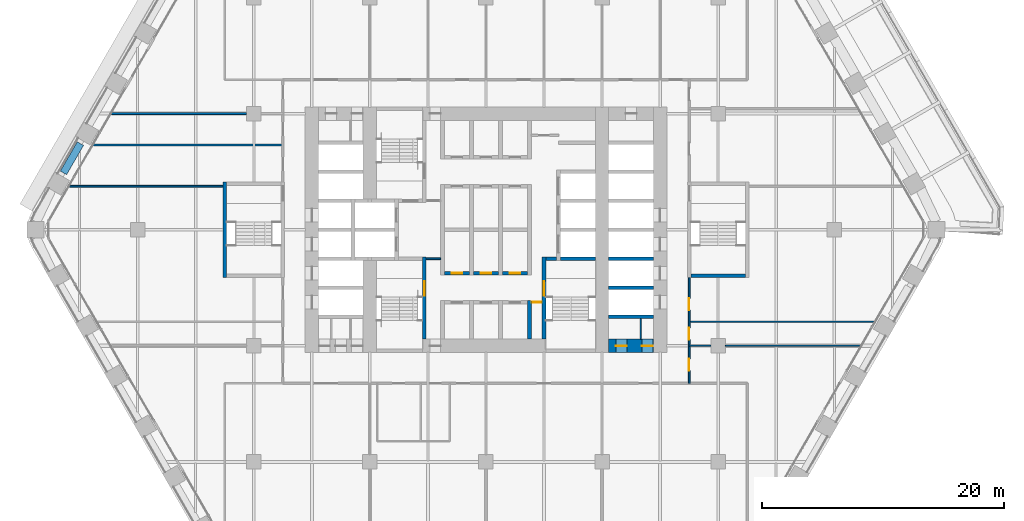
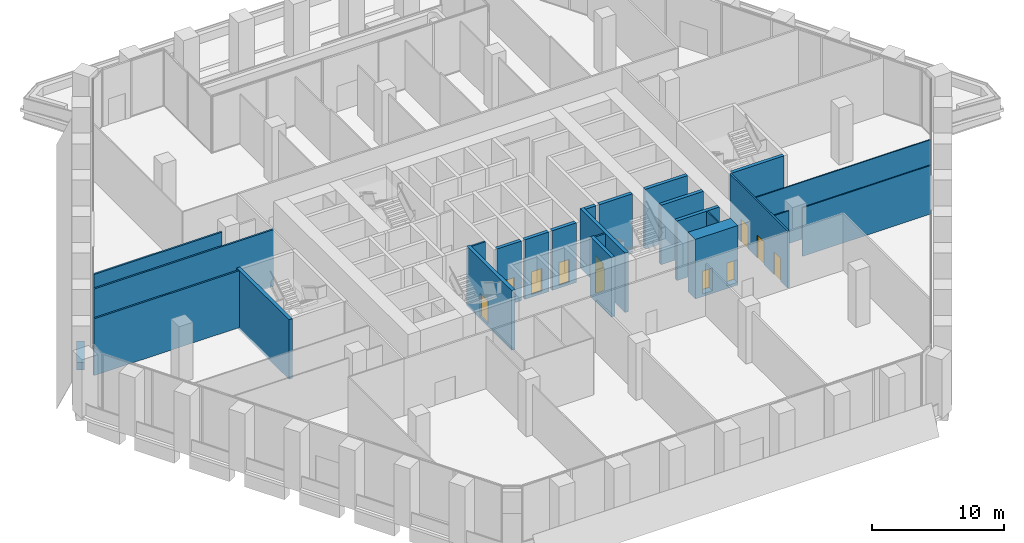
# One storey, part 20 of 30: 25 walls, 11 doors, 11 openings.
"""IFC4 building model written with IfcOpenShell, lengths in metres."""

from ifc_helpers import new_model, si_unit, direction, frame, frame_2d, origin, place, context, subcontext, project, spatial, rectangle, extrude, material, layer, layer_set, type_object, element, fill, save


model = new_model("IFC4")

# Units and contexts
model_context = context("Model", 3, precision=1e-05, world=origin(), true_north=direction((0.0, 1.0)))
body_context = subcontext(model_context, "Body", "Model", "MODEL_VIEW")
ifc_project = project(units=[si_unit("LENGTHUNIT", "METRE"), si_unit("AREAUNIT", "SQUARE_METRE"), si_unit("VOLUMEUNIT", "CUBIC_METRE"), si_unit("PLANEANGLEUNIT", "RADIAN"), si_unit("MASSUNIT", "GRAM", prefix="KILO")], contexts=[model_context])

# Site, building, storey
site_placement = place(None, origin())
site = spatial("IfcSite", under=ifc_project, at=site_placement, CompositionType="ELEMENT")
building_placement = place(site_placement, origin())
building = spatial("IfcBuilding", under=site, at=building_placement, Name="Kolab Exchange Tower", CompositionType="ELEMENT")
storey_placement = place(building_placement, frame((0.0, 0.0, 38.89990234375)))
storey = spatial("IfcBuildingStorey", under=building, at=storey_placement, Name="L07", CompositionType="ELEMENT", Elevation=38.89990234375)

# Wall, openings, doors
ifc_material_1 = material(Name="Concrete C80/95", Category="concrete")
ifc_layer_1 = layer(ifc_material_1, 1.10009765625)
ifc_layer_set_1 = layer_set([ifc_layer_1], Name="Concrete C80/95")
wall_type_1 = type_object("IfcWallType", Name="CORE WALL 1100 C80/95", PredefinedType="SHEAR", material=ifc_layer_set_1)
wall_1_placement = place(storey_placement, frame((10.14990234375, -9.60009765625, -0.25), z_axis=(0.0, 0.0, 1.0), x_axis=(1.0, 0.0, 0.0)))
wall_1 = element("IfcWall", 1, at=wall_1_placement, inside=storey, type_object=wall_type_1, Name="wall/L07/core/004", PredefinedType="SHEAR", context=body_context, shape_type="SweptSolid", body=[
    extrude(rectangle(XDim=3.7001953125, YDim=1.10009765625, at=frame_2d((1.85009765625, 0.0))), origin(), (0.0, 0.0, 1.0), 5.5),
])
opening_1_placement = place(wall_1_placement, frame((0.60009765625, 0.0, 0.25)))
opening_1 = element("IfcOpeningElement", 2, at=opening_1_placement, cuts=wall_1, Name="Opening D6-110", PredefinedType="OPENING", context=body_context, shape_type="SweptSolid", body=[
    extrude(rectangle(XDim=0.89990234375, YDim=2.10009765625, at=frame_2d((0.449951171875, 1.050048828125))), frame((0.0, 0.56005859375, 0.0), z_axis=(0.0, -1.0, 0.0), x_axis=(1.0, 0.0, 0.0)), (0.0, 0.0, 1.0), 1.1201171875),
])
opening_2_placement = place(wall_1_placement, frame((2.75, 0.0, 0.25)))
opening_2 = element("IfcOpeningElement", 3, at=opening_2_placement, cuts=wall_1, Name="Opening D6-111", PredefinedType="OPENING", context=body_context, shape_type="SweptSolid", body=[
    extrude(rectangle(XDim=0.89990234375, YDim=2.10009765625, at=frame_2d((0.449951171875, 1.050048828125))), frame((0.0, 0.56005859375, 0.0), z_axis=(0.0, -1.0, 0.0), x_axis=(1.0, 0.0, 0.0)), (0.0, 0.0, 1.0), 1.1201171875),
])
ifc_material_2 = material(Name="Steel S235", Category="steel")
door_type_1 = type_object("IfcDoorType", Name="CORE DOOR 900 EI 120", OperationType="SINGLE_SWING_LEFT", PredefinedType="DOOR", material=ifc_material_2)
door_1_placement = place(opening_1_placement, origin())
door_1 = element("IfcDoor", 4, at=door_1_placement, inside=storey, type_object=door_type_1, Name="Service room door", OperationType="SINGLE_SWING_RIGHT", OverallHeight=2.10009765625, OverallWidth=0.89990234375, PredefinedType="DOOR", context=body_context, shape_type="SweptSolid", body=[
    extrude(rectangle(XDim=0.89990234375, YDim=2.10009765625, at=frame_2d((0.449951171875, 1.050048828125))), frame((0.0, 0.02490234375, 0.0), z_axis=(0.0, -1.0, 0.0), x_axis=(1.0, 0.0, 0.0)), (0.0, 0.0, 1.0), 0.050048828125),
])
fill(opening_1, door_1)
door_2_placement = place(opening_2_placement, origin())
door_2 = element("IfcDoor", 5, at=door_2_placement, inside=storey, type_object=door_type_1, Name="Service room door", OperationType="SINGLE_SWING_LEFT", OverallHeight=2.10009765625, OverallWidth=0.89990234375, PredefinedType="DOOR", context=body_context, shape_type="SweptSolid", body=[
    extrude(rectangle(XDim=0.89990234375, YDim=2.10009765625, at=frame_2d((0.449951171875, 1.050048828125))), frame((0.0, 0.02490234375, 0.0), z_axis=(0.0, -1.0, 0.0), x_axis=(1.0, 0.0, 0.0)), (0.0, 0.0, 1.0), 0.050048828125),
])
fill(opening_2, door_2)

# Walls
ifc_material_3 = material(Name="Concrete C50/60", Category="concrete")
ifc_layer_2 = layer(ifc_material_3, 0.300048828125)
ifc_layer_set_2 = layer_set([ifc_layer_2], Name="Concrete C50/60")
wall_type_2 = type_object("IfcWallType", Name="LIFT SHAFT WALL 300 C50/60", PredefinedType="STANDARD", material=ifc_layer_set_2)
for number, where, z_axis, x_axis, name in (
    (6, (10.14990234375, -7.199951171875, -0.25), (0.0, 0.0, 1.0), (1.0, 0.0, 0.0), "wall/L07/core/006"),
    (7, (10.14990234375, -4.800048828125, -0.25), (0.0, 0.0, 1.0), (1.0, 0.0, 0.0), "wall/L07/core/011"),
):
    element("IfcWall", number, at=place(storey_placement, frame(where, z_axis=z_axis, x_axis=x_axis)), inside=storey, type_object=wall_type_2, Name=name, PredefinedType="STANDARD", context=body_context, shape_type="SweptSolid", body=[
        extrude(rectangle(XDim=3.7001953125, YDim=0.300048828125, at=frame_2d((1.85009765625, 0.0))), origin(), (0.0, 0.0, 1.0), 5.5),
    ])

# Wall, opening, door
wall_2_placement = place(storey_placement, frame((-3.449951171875, -3.60009765625, -0.25), z_axis=(0.0, 0.0, 1.0), x_axis=(1.0, 0.0, 0.0)))
wall_2 = element("IfcWall", 8, at=wall_2_placement, inside=storey, type_object=wall_type_2, Name="wall/L07/core/014", PredefinedType="STANDARD", context=body_context, shape_type="SweptSolid", body=[
    extrude(rectangle(XDim=2.099853515625, YDim=0.300048828125, at=frame_2d((1.0498046875, 0.0))), origin(), (0.0, 0.0, 1.0), 5.5),
])
opening_3_placement = place(wall_2_placement, frame((0.60009765625, 0.0, 0.25)))
opening_3 = element("IfcOpeningElement", 9, at=opening_3_placement, cuts=wall_2, Name="Opening D6-092", PredefinedType="OPENING", context=body_context, shape_type="SweptSolid", body=[
    extrude(rectangle(XDim=0.89990234375, YDim=2.10009765625, at=frame_2d((0.449951171875, 1.050048828125))), frame((0.0, 0.16015625, 0.0), z_axis=(0.0, -1.0, 0.0), x_axis=(1.0, 0.0, 0.0)), (0.0, 0.0, 1.0), 0.320068359375),
])
door_3_placement = place(opening_3_placement, origin())
door_3 = element("IfcDoor", 10, at=door_3_placement, inside=storey, type_object=door_type_1, Name="Service room door", OperationType="SINGLE_SWING_LEFT", OverallHeight=2.10009765625, OverallWidth=0.89990234375, PredefinedType="DOOR", context=body_context, shape_type="SweptSolid", body=[
    extrude(rectangle(XDim=0.89990234375, YDim=2.10009765625, at=frame_2d((0.449951171875, 1.050048828125))), frame((0.0, 0.02490234375, 0.0), z_axis=(0.0, -1.0, 0.0), x_axis=(1.0, 0.0, 0.0)), (0.0, 0.0, 1.0), 0.050048828125),
])
fill(opening_3, door_3)

wall_3_placement = place(storey_placement, frame((-1.050048828125, -3.60009765625, -0.25), z_axis=(0.0, 0.0, 1.0), x_axis=(1.0, 0.0, 0.0)))
wall_3 = element("IfcWall", 11, at=wall_3_placement, inside=storey, type_object=wall_type_2, Name="wall/L07/core/015", PredefinedType="STANDARD", context=body_context, shape_type="SweptSolid", body=[
    extrude(rectangle(XDim=2.10009765625, YDim=0.300048828125, at=frame_2d((1.050048828125, 0.0))), origin(), (0.0, 0.0, 1.0), 5.5),
])
opening_4_placement = place(wall_3_placement, frame((0.60009765625, 0.0, 0.25)))
opening_4 = element("IfcOpeningElement", 12, at=opening_4_placement, cuts=wall_3, Name="Opening D6-106", PredefinedType="OPENING", context=body_context, shape_type="SweptSolid", body=[
    extrude(rectangle(XDim=0.89990234375, YDim=2.10009765625, at=frame_2d((0.449951171875, 1.050048828125))), frame((0.0, 0.16015625, 0.0), z_axis=(0.0, -1.0, 0.0), x_axis=(1.0, 0.0, 0.0)), (0.0, 0.0, 1.0), 0.320068359375),
])
door_4_placement = place(opening_4_placement, origin())
door_4 = element("IfcDoor", 13, at=door_4_placement, inside=storey, type_object=door_type_1, Name="Service room door", OperationType="SINGLE_SWING_RIGHT", OverallHeight=2.10009765625, OverallWidth=0.89990234375, PredefinedType="DOOR", context=body_context, shape_type="SweptSolid", body=[
    extrude(rectangle(XDim=0.89990234375, YDim=2.10009765625, at=frame_2d((0.449951171875, 1.050048828125))), frame((0.0, 0.02490234375, 0.0), z_axis=(0.0, -1.0, 0.0), x_axis=(1.0, 0.0, 0.0)), (0.0, 0.0, 1.0), 0.050048828125),
])
fill(opening_4, door_4)

wall_4_placement = place(storey_placement, frame((1.35009765625, -3.60009765625, -0.25), z_axis=(0.0, 0.0, 1.0), x_axis=(1.0, 0.0, 0.0)))
wall_4 = element("IfcWall", 14, at=wall_4_placement, inside=storey, type_object=wall_type_2, Name="wall/L07/core/016", PredefinedType="STANDARD", context=body_context, shape_type="SweptSolid", body=[
    extrude(rectangle(XDim=2.099853515625, YDim=0.300048828125, at=frame_2d((1.0498046875, 0.0))), origin(), (0.0, 0.0, 1.0), 5.5),
])
opening_5_placement = place(wall_4_placement, frame((0.60009765625, 0.0, 0.25)))
opening_5 = element("IfcOpeningElement", 15, at=opening_5_placement, cuts=wall_4, Name="Opening D6-090", PredefinedType="OPENING", context=body_context, shape_type="SweptSolid", body=[
    extrude(rectangle(XDim=0.89990234375, YDim=2.10009765625, at=frame_2d((0.449951171875, 1.050048828125))), frame((0.0, 0.16015625, 0.0), z_axis=(0.0, -1.0, 0.0), x_axis=(1.0, 0.0, 0.0)), (0.0, 0.0, 1.0), 0.320068359375),
])
door_5_placement = place(opening_5_placement, origin())
door_5 = element("IfcDoor", 16, at=door_5_placement, inside=storey, type_object=door_type_1, Name="Service room door", OperationType="SINGLE_SWING_RIGHT", OverallHeight=2.10009765625, OverallWidth=0.89990234375, PredefinedType="DOOR", context=body_context, shape_type="SweptSolid", body=[
    extrude(rectangle(XDim=0.89990234375, YDim=2.10009765625, at=frame_2d((0.449951171875, 1.050048828125))), frame((0.0, 0.02490234375, 0.0), z_axis=(0.0, -1.0, 0.0), x_axis=(1.0, 0.0, 0.0)), (0.0, 0.0, 1.0), 0.050048828125),
])
fill(opening_5, door_5)

# Walls
wall_5_placement = place(storey_placement, frame((10.14990234375, -2.39990234375, -0.25), z_axis=(0.0, 0.0, 1.0), x_axis=(1.0, 0.0, 0.0)))
element("IfcWall", 17, at=wall_5_placement, inside=storey, type_object=wall_type_2, Name="wall/L07/core/023", PredefinedType="STANDARD", context=body_context, shape_type="SweptSolid", body=[
    extrude(rectangle(XDim=3.7001953125, YDim=0.300048828125, at=frame_2d((1.85009765625, 0.0))), origin(), (0.0, 0.0, 1.0), 5.5),
])
wall_6_placement = place(storey_placement, frame((3.60009765625, -9.050048828125, -0.25), z_axis=(0.0, 0.0, 1.0), x_axis=(0.0, 1.0, 0.0)))
element("IfcWall", 18, at=wall_6_placement, inside=storey, type_object=wall_type_2, Name="wall/L07/core/075", PredefinedType="STANDARD", context=body_context, shape_type="SweptSolid", body=[
    extrude(rectangle(XDim=3.199951171875, YDim=0.300048828125, at=frame_2d((1.60009765625, 0.0))), origin(), (0.0, 0.0, 1.0), 5.5),
])
ifc_material_4 = material(Name="Gypsum board", Category="gypsum")
ifc_layer_3 = layer(ifc_material_4, 0.10009765625)
ifc_layer_set_3 = layer_set([ifc_layer_3], Name="Gypsum board")
wall_type_3 = type_object("IfcWallType", Name="PARTITION 100", PredefinedType="PARTITIONING", material=ifc_layer_set_3)
wall_7_placement = place(storey_placement, frame((12.800048828125, -9.050048828125, 0.0), z_axis=(0.0, 0.0, 1.0), x_axis=(0.0, 1.0, 0.0)))
element("IfcWall", 19, at=wall_7_placement, inside=storey, type_object=wall_type_3, Name="Partition 005", PredefinedType="PARTITIONING", context=body_context, shape_type="SweptSolid", body=[
    extrude(rectangle(XDim=1.699951171875, YDim=0.10009765625, at=frame_2d((0.85009765625, 0.0))), origin(), (0.0, 0.0, 1.0), 5.25),
])
wall_8_placement = place(storey_placement, frame((16.800048828125, -9.60009765625, 0.0), z_axis=(0.0, 0.0, 1.0), x_axis=(1.0, 0.0, 0.0)))
element("IfcWall", 20, at=wall_8_placement, inside=storey, type_object=wall_type_3, Name="Partition 035", PredefinedType="PARTITIONING", context=body_context, shape_type="SweptSolid", body=[
    extrude(rectangle(XDim=1.800048828125, YDim=0.10009765625, at=frame_2d((0.89990234375, 0.0))), origin(), (0.0, 0.0, 1.0), 4.64208984375),
])
wall_9_placement = place(storey_placement, frame((19.800048828125, -9.60009765625, 0.0), z_axis=(0.0, 0.0, 1.0), x_axis=(1.0, 0.0, 0.0)))
element("IfcWall", 21, at=wall_9_placement, inside=storey, type_object=wall_type_3, Name="Partition 036", PredefinedType="PARTITIONING", context=body_context, shape_type="SweptSolid", body=[
    extrude(rectangle(XDim=11.186767578125, YDim=0.10009765625, at=frame_2d((5.59326171875, 0.0))), origin(), (0.0, 0.0, 1.0), 4.488037109375),
])
wall_10_placement = place(storey_placement, frame((16.800048828125, -7.60009765625, 0.0), z_axis=(0.0, 0.0, 1.0), x_axis=(1.0, 0.0, 0.0)))
element("IfcWall", 22, at=wall_10_placement, inside=storey, type_object=wall_type_3, Name="Partition 038", PredefinedType="PARTITIONING", context=body_context, shape_type="SweptSolid", body=[
    extrude(rectangle(XDim=15.341552734375, YDim=0.10009765625, at=frame_2d((7.6708984375, 0.0))), origin(), (0.0, 0.0, 1.0), 5.25),
])

# Wall, openings, doors
ifc_layer_4 = layer(ifc_material_4, 0.14990234375)
ifc_layer_set_4 = layer_set([ifc_layer_4], Name="Gypsum board")
wall_type_4 = type_object("IfcWallType", Name="PARTITION 150 FIRE-RATED", PredefinedType="PARTITIONING", material=ifc_layer_set_4)
wall_11_placement = place(storey_placement, frame((16.800048828125, -12.699951171875, 0.0), z_axis=(0.0, 0.0, 1.0), x_axis=(0.0, 1.0, 0.0)))
wall_11 = element("IfcWall", 23, at=wall_11_placement, inside=storey, type_object=wall_type_4, Name="Partition 002", PredefinedType="PARTITIONING", context=body_context, shape_type="SweptSolid", body=[
    extrude(rectangle(XDim=8.75, YDim=0.14990234375, at=frame_2d((4.375, 0.0))), origin(), (0.0, 0.0, 1.0), 5.25),
])
opening_6_placement = place(wall_11_placement, frame((1.050048828125, 0.0, 0.0)))
opening_6 = element("IfcOpeningElement", 24, at=opening_6_placement, cuts=wall_11, Name="Opening D1-098", PredefinedType="OPENING", context=body_context, shape_type="SweptSolid", body=[
    extrude(rectangle(XDim=1.0, YDim=2.10009765625, at=frame_2d((0.5, 1.050048828125))), frame((0.0, 0.0849609375, 0.0), z_axis=(0.0, -1.0, 0.0), x_axis=(1.0, 0.0, 0.0)), (0.0, 0.0, 1.0), 0.169921875),
])
opening_7_placement = place(wall_11_placement, frame((3.60009765625, 0.0, 0.0)))
opening_7 = element("IfcOpeningElement", 25, at=opening_7_placement, cuts=wall_11, Name="Opening D1-099", PredefinedType="OPENING", context=body_context, shape_type="SweptSolid", body=[
    extrude(rectangle(XDim=1.0, YDim=2.10009765625, at=frame_2d((0.5, 1.050048828125))), frame((0.0, 0.0849609375, 0.0), z_axis=(0.0, -1.0, 0.0), x_axis=(1.0, 0.0, 0.0)), (0.0, 0.0, 1.0), 0.169921875),
])
opening_8_placement = place(wall_11_placement, frame((6.02490234375, 0.0, 0.0)))
opening_8 = element("IfcOpeningElement", 26, at=opening_8_placement, cuts=wall_11, Name="Opening D1-100", PredefinedType="OPENING", context=body_context, shape_type="SweptSolid", body=[
    extrude(rectangle(XDim=1.0, YDim=2.10009765625, at=frame_2d((0.5, 1.050048828125))), frame((0.0, 0.0849609375, 0.0), z_axis=(0.0, -1.0, 0.0), x_axis=(1.0, 0.0, 0.0)), (0.0, 0.0, 1.0), 0.169921875),
])
door_type_2 = type_object("IfcDoorType", Name="FLUSH DOOR 1000 FD60", OperationType="SINGLE_SWING_LEFT", PredefinedType="DOOR", material=ifc_material_2)
door_6_placement = place(opening_6_placement, frame((1.0, 0.0, 0.0), z_axis=(0.0, 0.0, 1.0), x_axis=(-1.0, 0.0, 0.0)))
door_6 = element("IfcDoor", 27, at=door_6_placement, inside=storey, type_object=door_type_2, Name="Door L07-060", OperationType="SINGLE_SWING_RIGHT", OverallHeight=2.10009765625, OverallWidth=1.0, PredefinedType="DOOR", context=body_context, shape_type="SweptSolid", body=[
    extrude(rectangle(XDim=1.0, YDim=2.10009765625, at=frame_2d((0.5, 1.050048828125))), frame((0.0, 0.02490234375, 0.0), z_axis=(0.0, -1.0, 0.0), x_axis=(1.0, 0.0, 0.0)), (0.0, 0.0, 1.0), 0.050048828125),
])
fill(opening_6, door_6)
door_7_placement = place(opening_7_placement, frame((1.0, 0.0, 0.0), z_axis=(0.0, 0.0, 1.0), x_axis=(-1.0, 0.0, 0.0)))
door_7 = element("IfcDoor", 28, at=door_7_placement, inside=storey, type_object=door_type_2, Name="Door L07-061", OperationType="SINGLE_SWING_LEFT", OverallHeight=2.10009765625, OverallWidth=1.0, PredefinedType="DOOR", context=body_context, shape_type="SweptSolid", body=[
    extrude(rectangle(XDim=1.0, YDim=2.10009765625, at=frame_2d((0.5, 1.050048828125))), frame((0.0, 0.02490234375, 0.0), z_axis=(0.0, -1.0, 0.0), x_axis=(1.0, 0.0, 0.0)), (0.0, 0.0, 1.0), 0.050048828125),
])
fill(opening_7, door_7)
door_8_placement = place(opening_8_placement, frame((1.0, 0.0, 0.0), z_axis=(0.0, 0.0, 1.0), x_axis=(-1.0, 0.0, 0.0)))
door_8 = element("IfcDoor", 29, at=door_8_placement, inside=storey, type_object=door_type_2, Name="Door L07-062", OperationType="SINGLE_SWING_LEFT", OverallHeight=2.10009765625, OverallWidth=1.0, PredefinedType="DOOR", context=body_context, shape_type="SweptSolid", body=[
    extrude(rectangle(XDim=1.0, YDim=2.10009765625, at=frame_2d((0.5, 1.050048828125))), frame((0.0, 0.02490234375, 0.0), z_axis=(0.0, -1.0, 0.0), x_axis=(1.0, 0.0, 0.0)), (0.0, 0.0, 1.0), 0.050048828125),
])
fill(opening_8, door_8)

# Wall, opening, door
wall_12_placement = place(storey_placement, frame((3.75, -6.0, 0.0), z_axis=(0.0, 0.0, 1.0), x_axis=(1.0, 0.0, 0.0)))
wall_12 = element("IfcWall", 30, at=wall_12_placement, inside=storey, type_object=wall_type_4, Name="Partition 039", PredefinedType="PARTITIONING", context=body_context, shape_type="SweptSolid", body=[
    extrude(rectangle(XDim=0.89990234375, YDim=0.14990234375, at=frame_2d((0.449951171875, 0.0))), origin(), (0.0, 0.0, 1.0), 5.25),
])
opening_9_placement = place(wall_12_placement, frame((0.050048828125, 0.0, 0.0)))
opening_9 = element("IfcOpeningElement", 31, at=opening_9_placement, cuts=wall_12, Name="Opening D7-010", PredefinedType="OPENING", context=body_context, shape_type="SweptSolid", body=[
    extrude(rectangle(XDim=0.800048828125, YDim=2.10009765625, at=frame_2d((0.39990234375, 1.050048828125))), frame((0.0, 0.0849609375, 0.0), z_axis=(0.0, -1.0, 0.0), x_axis=(1.0, 0.0, 0.0)), (0.0, 0.0, 1.0), 0.169921875),
])
door_type_3 = type_object("IfcDoorType", Name="FLUSH DOOR 800 FD60", OperationType="SINGLE_SWING_LEFT", PredefinedType="DOOR", material=ifc_material_2)
door_9_placement = place(opening_9_placement, frame((0.800048828125, 0.0, 0.0), z_axis=(0.0, 0.0, 1.0), x_axis=(-1.0, 0.0, 0.0)))
door_9 = element("IfcDoor", 32, at=door_9_placement, inside=storey, type_object=door_type_3, Name="Door L07-042", OperationType="SINGLE_SWING_RIGHT", OverallHeight=2.10009765625, OverallWidth=0.800048828125, PredefinedType="DOOR", context=body_context, shape_type="SweptSolid", body=[
    extrude(rectangle(XDim=0.800048828125, YDim=2.10009765625, at=frame_2d((0.39990234375, 1.050048828125))), frame((0.0, 0.02490234375, 0.0), z_axis=(0.0, -1.0, 0.0), x_axis=(1.0, 0.0, 0.0)), (0.0, 0.0, 1.0), 0.050048828125),
])
fill(opening_9, door_9)

# Walls
wall_13_placement = place(storey_placement, frame((-34.450927734375, 3.60009765625, 0.0), z_axis=(0.0, 0.0, 1.0), x_axis=(1.0, 0.0, 0.0)))
element("IfcWall", 33, at=wall_13_placement, inside=storey, type_object=wall_type_4, Name="Partition 040", PredefinedType="PARTITIONING", context=body_context, shape_type="SweptSolid", body=[
    extrude(rectangle(XDim=12.700927734375, YDim=0.14990234375, at=frame_2d((6.3505859375, 0.0))), origin(), (0.0, 0.0, 1.0), 5.25),
])
wall_14_placement = place(storey_placement, frame((-32.48779296875, 7.0, 0.0), z_axis=(0.0, 0.0, 1.0), x_axis=(1.0, 0.0, 0.0)))
element("IfcWall", 34, at=wall_14_placement, inside=storey, type_object=wall_type_4, Name="Partition 042", PredefinedType="PARTITIONING", context=body_context, shape_type="SweptSolid", body=[
    extrude(rectangle(XDim=15.687744140625, YDim=0.14990234375, at=frame_2d((7.84375, 0.0))), origin(), (0.0, 0.0, 1.0), 5.25),
])
wall_15_placement = place(storey_placement, frame((-30.98681640625, 9.60009765625, 0.0), z_axis=(0.0, 0.0, 1.0), x_axis=(1.0, 0.0, 0.0)))
element("IfcWall", 35, at=wall_15_placement, inside=storey, type_object=wall_type_4, Name="Partition 044", PredefinedType="PARTITIONING", context=body_context, shape_type="SweptSolid", body=[
    extrude(rectangle(XDim=11.186767578125, YDim=0.14990234375, at=frame_2d((5.59326171875, 0.0))), origin(), (0.0, 0.0, 1.0), 4.488037109375),
])
wall_16_placement = place(storey_placement, frame((-4.949951171875, -2.39990234375, 0.0), z_axis=(0.0, 0.0, 1.0), x_axis=(1.0, 0.0, 0.0)))
element("IfcWall", 36, at=wall_16_placement, inside=storey, type_object=wall_type_4, Name="Fire partition", PredefinedType="PARTITIONING", context=body_context, shape_type="SweptSolid", body=[
    extrude(rectangle(XDim=1.199951171875, YDim=0.14990234375, at=frame_2d((0.60009765625, 0.0))), origin(), (0.0, 0.0, 1.0), 5.25),
])
ifc_material_5 = material(Name="Granite facing", Category="masonry")
ifc_layer_5 = layer(ifc_material_5, 0.0400390625)
ifc_material_6 = material(Name="Concrete C40/50 precast", Category="concrete")
ifc_layer_6 = layer(ifc_material_6, 0.56005859375)
ifc_layer_set_5 = layer_set([ifc_layer_5, ifc_layer_6], Name="Concrete C40/50 precast")
wall_type_5 = type_object("IfcWallType", Name="PLANTER BOX 600 X 700 SOIL DEPTH 550", PredefinedType="USERDEFINED", material=ifc_layer_set_5)
wall_17_placement = place(storey_placement, frame((-34.93701171875, 4.697998046875, 0.0), z_axis=(0.0, 0.0, 1.0), x_axis=(0.49998411664, 0.866034573852, 0.0)))
element("IfcWall", 37, at=wall_17_placement, inside=storey, type_object=wall_type_5, Name="Planter", ObjectType="PLANTER", PredefinedType="USERDEFINED", context=body_context, shape_type="SweptSolid", body=[
    extrude(rectangle(XDim=2.7998046875, YDim=0.60009765625, at=frame_2d((1.39990234375, 0.0))), origin(), (0.0, 0.0, 1.0), 0.7001953125),
])
ifc_layer_7 = layer(ifc_material_3, 0.300048828125)
ifc_layer_set_6 = layer_set([ifc_layer_7], Name="Concrete C50/60")
wall_type_6 = type_object("IfcWallType", Name="STAIR ENCLOSURE WALL 300 C50/60", PredefinedType="STANDARD", material=ifc_layer_set_6)
wall_18_placement = place(storey_placement, frame((16.949951171875, -3.800048828125, -0.25), z_axis=(0.0, 0.0, 1.0), x_axis=(1.0, 0.0, 0.0)))
element("IfcWall", 38, at=wall_18_placement, inside=storey, type_object=wall_type_6, Name="wall/L07/core/013", PredefinedType="STANDARD", context=body_context, shape_type="SweptSolid", body=[
    extrude(rectangle(XDim=4.5, YDim=0.300048828125, at=frame_2d((2.25, 0.0))), origin(), (0.0, 0.0, 1.0), 5.5),
])
wall_19_placement = place(storey_placement, frame((4.949951171875, -2.39990234375, -0.25), z_axis=(0.0, 0.0, 1.0), x_axis=(1.0, 0.0, 0.0)))
element("IfcWall", 39, at=wall_19_placement, inside=storey, type_object=wall_type_6, Name="wall/L07/core/021", PredefinedType="STANDARD", context=body_context, shape_type="SweptSolid", body=[
    extrude(rectangle(XDim=0.900146484375, YDim=0.300048828125, at=frame_2d((0.4501953125, 0.0))), origin(), (0.0, 0.0, 1.0), 5.5),
])
wall_20_placement = place(storey_placement, frame((6.14990234375, -2.39990234375, -0.25), z_axis=(0.0, 0.0, 1.0), x_axis=(1.0, 0.0, 0.0)))
element("IfcWall", 40, at=wall_20_placement, inside=storey, type_object=wall_type_6, Name="wall/L07/core/022", PredefinedType="STANDARD", context=body_context, shape_type="SweptSolid", body=[
    extrude(rectangle(XDim=2.900146484375, YDim=0.300048828125, at=frame_2d((1.4501953125, 0.0))), origin(), (0.0, 0.0, 1.0), 5.5),
])
wall_21_placement = place(storey_placement, frame((-21.60009765625, -3.949951171875, -0.25), z_axis=(0.0, 0.0, 1.0), x_axis=(0.0, 1.0, 0.0)))
element("IfcWall", 41, at=wall_21_placement, inside=storey, type_object=wall_type_6, Name="wall/L07/core/055", PredefinedType="STANDARD", context=body_context, shape_type="SweptSolid", body=[
    extrude(rectangle(XDim=7.89990234375, YDim=0.300048828125, at=frame_2d((3.949951171875, 0.0))), origin(), (0.0, 0.0, 1.0), 5.5),
])

# Wall, opening, door
wall_22_placement = place(storey_placement, frame((-5.10009765625, -9.050048828125, -0.25), z_axis=(0.0, 0.0, 1.0), x_axis=(0.0, 1.0, 0.0)))
wall_22 = element("IfcWall", 42, at=wall_22_placement, inside=storey, type_object=wall_type_6, Name="wall/L07/core/064", PredefinedType="STANDARD", context=body_context, shape_type="SweptSolid", body=[
    extrude(rectangle(XDim=6.800048828125, YDim=0.300048828125, at=frame_2d((3.39990234375, 0.0))), origin(), (0.0, 0.0, 1.0), 5.5),
])
opening_10_placement = place(wall_22_placement, frame((3.60009765625, 0.0, 0.25)))
opening_10 = element("IfcOpeningElement", 43, at=opening_10_placement, cuts=wall_22, Name="Opening D4-022", PredefinedType="OPENING", context=body_context, shape_type="SweptSolid", body=[
    extrude(rectangle(XDim=1.199951171875, YDim=2.10009765625, at=frame_2d((0.60009765625, 1.050048828125))), frame((0.0, 0.16015625, 0.0), z_axis=(0.0, -1.0, 0.0), x_axis=(1.0, 0.0, 0.0)), (0.0, 0.0, 1.0), 0.320068359375),
])
door_type_4 = type_object("IfcDoorType", Name="STAIR DOOR 1200 EI 120", OperationType="SINGLE_SWING_LEFT", PredefinedType="DOOR", material=ifc_material_2)
door_10_placement = place(opening_10_placement, origin())
door_10 = element("IfcDoor", 44, at=door_10_placement, inside=storey, type_object=door_type_4, Name="Stair 3 door", OperationType="SINGLE_SWING_RIGHT", OverallHeight=2.10009765625, OverallWidth=1.199951171875, PredefinedType="DOOR", context=body_context, shape_type="SweptSolid", body=[
    extrude(rectangle(XDim=1.199951171875, YDim=2.10009765625, at=frame_2d((0.60009765625, 1.050048828125))), frame((0.0, 0.02490234375, 0.0), z_axis=(0.0, -1.0, 0.0), x_axis=(1.0, 0.0, 0.0)), (0.0, 0.0, 1.0), 0.050048828125),
])
fill(opening_10, door_10)

wall_23_placement = place(storey_placement, frame((4.800048828125, -9.050048828125, -0.25), z_axis=(0.0, 0.0, 1.0), x_axis=(0.0, 1.0, 0.0)))
wall_23 = element("IfcWall", 45, at=wall_23_placement, inside=storey, type_object=wall_type_6, Name="wall/L07/core/078", PredefinedType="STANDARD", context=body_context, shape_type="SweptSolid", body=[
    extrude(rectangle(XDim=6.800048828125, YDim=0.300048828125, at=frame_2d((3.39990234375, 0.0))), origin(), (0.0, 0.0, 1.0), 5.5),
])
opening_11_placement = place(wall_23_placement, frame((3.60009765625, 0.0, 0.25)))
opening_11 = element("IfcOpeningElement", 46, at=opening_11_placement, cuts=wall_23, Name="Opening D4-021", PredefinedType="OPENING", context=body_context, shape_type="SweptSolid", body=[
    extrude(rectangle(XDim=1.199951171875, YDim=2.10009765625, at=frame_2d((0.60009765625, 1.050048828125))), frame((0.0, 0.16015625, 0.0), z_axis=(0.0, -1.0, 0.0), x_axis=(1.0, 0.0, 0.0)), (0.0, 0.0, 1.0), 0.320068359375),
])
door_11_placement = place(opening_11_placement, frame((1.199951171875, 0.0, 0.0), z_axis=(0.0, 0.0, 1.0), x_axis=(-1.0, 0.0, 0.0)))
door_11 = element("IfcDoor", 47, at=door_11_placement, inside=storey, type_object=door_type_4, Name="Stair 2 door", OperationType="SINGLE_SWING_RIGHT", OverallHeight=2.10009765625, OverallWidth=1.199951171875, PredefinedType="DOOR", context=body_context, shape_type="SweptSolid", body=[
    extrude(rectangle(XDim=1.199951171875, YDim=2.10009765625, at=frame_2d((0.60009765625, 1.050048828125))), frame((0.0, 0.02490234375, 0.0), z_axis=(0.0, -1.0, 0.0), x_axis=(1.0, 0.0, 0.0)), (0.0, 0.0, 1.0), 0.050048828125),
])
fill(opening_11, door_11)

save(model, "model.ifc")
